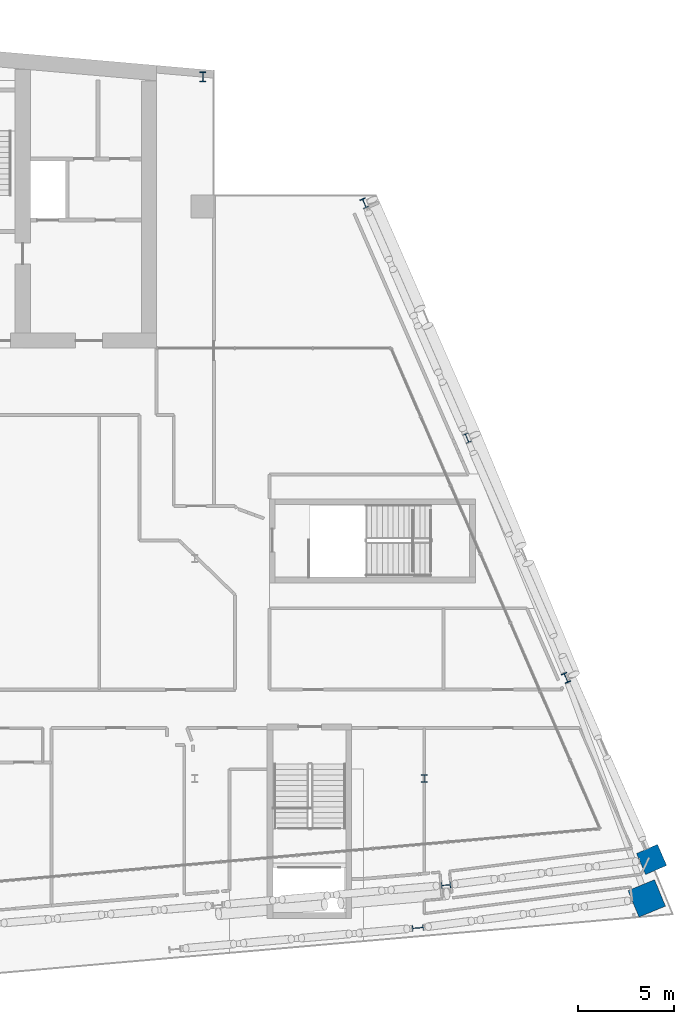
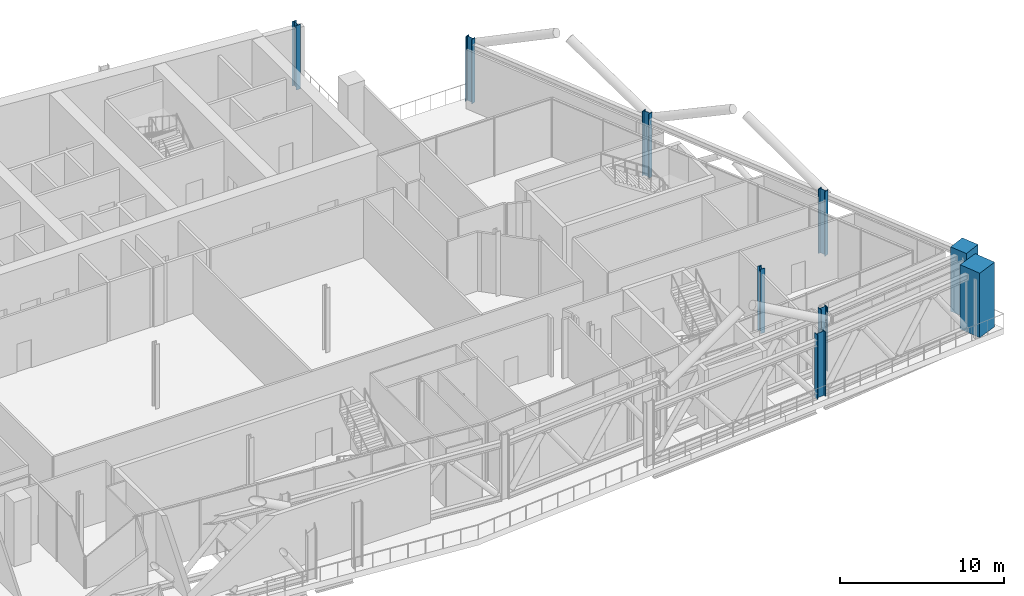
# One storey, part 4 of 35: 9 columns.
"""IFC4 building model written with IfcOpenShell, lengths in metres."""

from ifc_helpers import new_model, si_unit, direction, frame, origin, origin_2d, place, context, subcontext, project, spatial, rectangle, i_section, extrude, material, material_profile, profile_set, type_object, element, save


model = new_model("IFC4")

# Units and contexts
model_context = context("Model", 3, precision=1e-05, world=origin(), true_north=direction((0.0, 1.0)))
body_context = subcontext(model_context, "Body", "Model", "MODEL_VIEW")
ifc_project = project(units=[si_unit("LENGTHUNIT", "METRE"), si_unit("AREAUNIT", "SQUARE_METRE"), si_unit("VOLUMEUNIT", "CUBIC_METRE"), si_unit("PLANEANGLEUNIT", "RADIAN"), si_unit("MASSUNIT", "GRAM", prefix="KILO")], contexts=[model_context])

# Site, building, storey
site_placement = place(None, origin())
site = spatial("IfcSite", under=ifc_project, at=site_placement, CompositionType="ELEMENT")
building_placement = place(site_placement, origin())
building = spatial("IfcBuilding", under=site, at=building_placement, Name="Wharfspan Tower", CompositionType="ELEMENT")
storey_placement = place(building_placement, frame((0.0, 0.0, 202.300049)))
storey = spatial("IfcBuildingStorey", under=building, at=storey_placement, Name="L50", CompositionType="ELEMENT", Elevation=202.300049)

# Columns
ifc_material_1 = material(Name="Steel S355J2", Category="steel")
ifc_material_profile_1 = material_profile(ifc_material_1, i_section(OverallWidth=0.300049, OverallDepth=0.399902, WebThickness=0.013428, FlangeThickness=0.023926, FilletRadius=0.0271, at=origin_2d()))
ifc_profile_set_1 = profile_set([ifc_material_profile_1], Name="Steel S355J2")
column_type_1 = type_object("IfcColumnType", Name="Column HEB 400", PredefinedType="COLUMN", material=ifc_profile_set_1)
column_1_placement = place(storey_placement, frame((72.0, 11.5, 0.0), z_axis=(0.0, 0.0, 1.0), x_axis=(1.0, 0.0, 0.0)))
element("IfcColumn", 1, at=column_1_placement, inside=storey, type_object=column_type_1, Name="Interior column I.1.5 L50", PredefinedType="COLUMN", context=body_context, shape_type="SweptSolid", body=[
    extrude(i_section(OverallWidth=0.300049, OverallDepth=0.399902, WebThickness=0.013428, FlangeThickness=0.023926, FilletRadius=0.0271, at=origin_2d()), origin(), (0.0, 0.0, 1.0), 4.800049),
])
ifc_material_profile_2 = material_profile(ifc_material_1, i_section(OverallWidth=0.305908, OverallDepth=0.523926, WebThickness=0.020996, FlangeThickness=0.040039, FilletRadius=0.0271, at=origin_2d()))
ifc_profile_set_2 = profile_set([ifc_material_profile_2], Name="Steel S355J2")
column_type_2 = type_object("IfcColumnType", Name="Column HEM 500", PredefinedType="COLUMN", material=ifc_profile_set_2)
for number, where, z_axis, x_axis, name in (
    (2, (73.135254, 5.92334, 0.0), (0.0, 0.0, 1.0), (0.087156, -0.996197, 0.0), "Perimeter column PS2.2 L50"),
    (3, (79.409668, 16.761719, 0.0), (0.0, 0.0, 1.0), (0.917072, 0.398727, 0.0), "Perimeter column PE.1 L50"),
    (4, (74.235352, 29.294922, 0.0), (0.0, 0.0, 1.0), (0.917072, 0.398727, 0.0), "Perimeter column PE.2 L50"),
    (5, (68.867188, 41.572266, 0.0), (0.0, 0.0, 1.0), (0.917072, 0.398727, 0.0), "Perimeter column PE.3 L50"),
    (6, (60.422119, 48.189453, 0.0), (0.0, 0.0, 1.0), (1.0, 0.0, 0.0), "Perimeter column PNRE-V.1 L50"),
):
    element("IfcColumn", number, at=place(storey_placement, frame(where, z_axis=z_axis, x_axis=x_axis)), inside=storey, type_object=column_type_2, Name=name, PredefinedType="COLUMN", context=body_context, shape_type="SweptSolid", body=[
        extrude(i_section(OverallWidth=0.305908, OverallDepth=0.523926, WebThickness=0.020996, FlangeThickness=0.040039, FilletRadius=0.0271, at=origin_2d()), origin(), (0.0, 0.0, 1.0), 4.800049),
    ])
ifc_material_profile_3 = material_profile(ifc_material_1, i_section(OverallWidth=0.304932, OverallDepth=0.620117, WebThickness=0.020996, FlangeThickness=0.040039, FilletRadius=0.0271, at=origin_2d()))
ifc_profile_set_3 = profile_set([ifc_material_profile_3], Name="Steel S355J2")
column_type_3 = type_object("IfcColumnType", Name="Column HEM 600", PredefinedType="COLUMN", material=ifc_profile_set_3)
column_2_placement = place(storey_placement, frame((71.661865, 3.684814, 0.0), z_axis=(0.0, 0.0, 1.0), x_axis=(0.087156, -0.996198, 0.0)))
element("IfcColumn", 7, at=column_2_placement, inside=storey, type_object=column_type_3, Name="Perimeter column PS2.2.S L50", PredefinedType="COLUMN", context=body_context, shape_type="SweptSolid", body=[
    extrude(i_section(OverallWidth=0.304932, OverallDepth=0.620117, WebThickness=0.020996, FlangeThickness=0.040039, FilletRadius=0.0271, at=origin_2d()), origin(), (0.0, 0.0, 1.0), 4.800049),
])
ifc_material_2 = material(Name="Concrete C50/60", Category="concrete")
ifc_material_profile_4 = material_profile(ifc_material_2, rectangle(XDim=1.199951, YDim=1.199951, at=origin_2d()))
ifc_profile_set_4 = profile_set([ifc_material_profile_4], Name="Concrete C50/60")
column_type_4 = type_object("IfcColumnType", Name="Mega column 1200 C50/60", PredefinedType="COLUMN", material=ifc_profile_set_4)
column_3_placement = place(storey_placement, frame((83.882812, 7.264648, 0.0), z_axis=(0.0, 0.0, 1.0), x_axis=(-0.398727, 0.917072, 0.0)))
element("IfcColumn", 8, at=column_3_placement, inside=storey, type_object=column_type_4, Name="Mega column MC4 L50", PredefinedType="COLUMN", context=body_context, shape_type="SweptSolid", body=[
    extrude(rectangle(XDim=1.199951, YDim=1.199951, at=origin_2d()), origin(), (0.0, 0.0, 1.0), 4.800049),
])
ifc_material_3 = material(Name="Concrete C60/75", Category="concrete")
ifc_material_profile_5 = material_profile(ifc_material_3, rectangle(XDim=1.5, YDim=1.5, at=origin_2d()))
ifc_profile_set_5 = profile_set([ifc_material_profile_5], Name="Concrete C60/75")
column_type_5 = type_object("IfcColumnType", Name="Mega column 1500 C60/75", PredefinedType="COLUMN", material=ifc_profile_set_5)
column_4_placement = place(storey_placement, frame((83.632568, 5.230713, 0.0), z_axis=(0.0, 0.0, 1.0), x_axis=(-0.381602, 0.924325, 0.0)))
element("IfcColumn", 9, at=column_4_placement, inside=storey, type_object=column_type_5, Name="Mega column MC4.S L50", PredefinedType="COLUMN", context=body_context, shape_type="SweptSolid", body=[
    extrude(rectangle(XDim=1.5, YDim=1.5, at=origin_2d()), origin(), (0.0, 0.0, 1.0), 4.800049),
])

save(model, "model.ifc")
